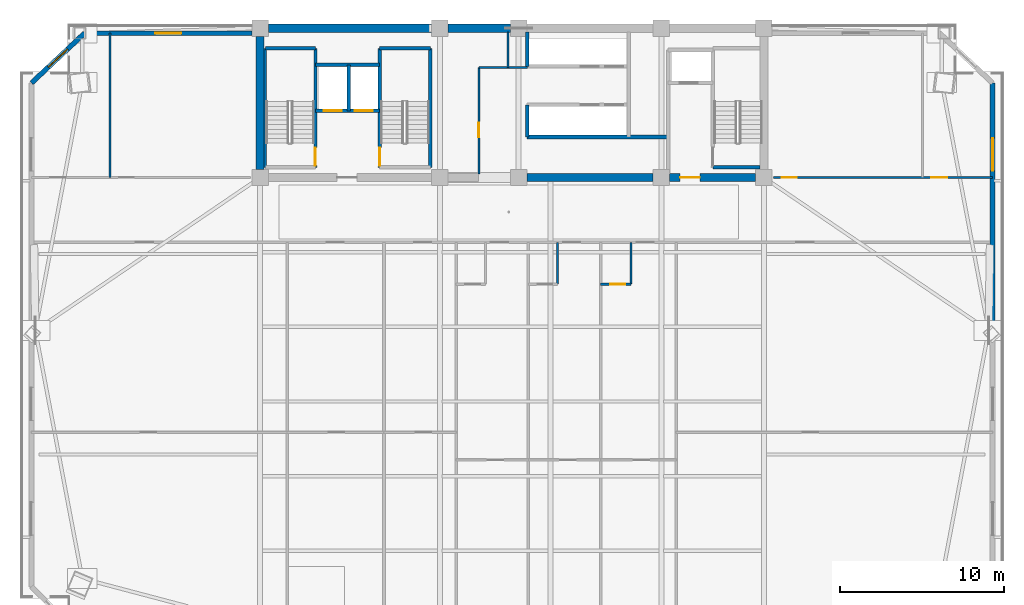
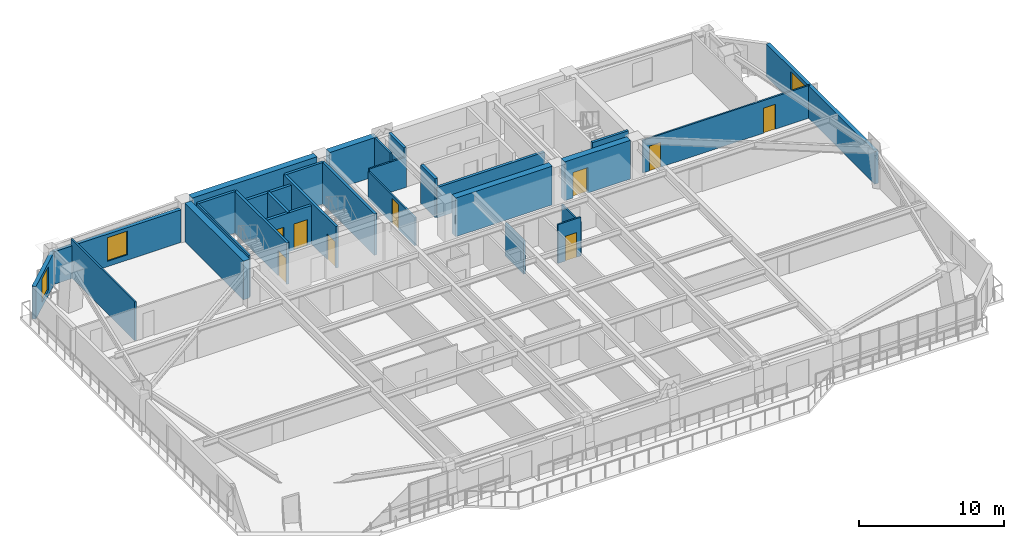
# One storey, part 9 of 15: 29 walls, 9 doors, 3 windows, 12 openings.
"""IFC4 building model written with IfcOpenShell, lengths in metres."""

from ifc_helpers import new_model, si_unit, direction, frame, frame_2d, origin, place, context, subcontext, project, spatial, rectangle, extrude, source, transform, mapped, material, layer, layer_set, type_object, element, fill, save


model = new_model("IFC4")

# Units and contexts
model_context = context("Model", 3, precision=1e-05, world=origin(), true_north=direction((0.0, 1.0)))
body_context = subcontext(model_context, "Body", "Model", "MODEL_VIEW")
ifc_project = project(units=[si_unit("LENGTHUNIT", "METRE"), si_unit("AREAUNIT", "SQUARE_METRE"), si_unit("VOLUMEUNIT", "CUBIC_METRE"), si_unit("PLANEANGLEUNIT", "RADIAN"), si_unit("MASSUNIT", "GRAM", prefix="KILO")], contexts=[model_context])

# Site, building, storey
site_placement = place(None, origin())
site = spatial("IfcSite", under=ifc_project, at=site_placement, CompositionType="ELEMENT")
building_placement = place(site_placement, origin())
building = spatial("IfcBuilding", under=site, at=building_placement, Name="Giltprow Tower", CompositionType="ELEMENT")
storey_placement = place(building_placement, frame((0.0, 0.0, 177.199951171875)))
storey = spatial("IfcBuildingStorey", under=building, at=storey_placement, Name="L44", CompositionType="ELEMENT", Elevation=177.199951171875)

# Wall, opening, window
ifc_material_1 = material(Name="Precast concrete C40", Category="concrete")
ifc_layer_1 = layer(ifc_material_1, 0.300048828125, Name="Precast concrete C40")
ifc_layer_set_1 = layer_set([ifc_layer_1], Name="Precast concrete C40")
wall_type_1 = type_object("IfcWallType", Name="EW-NOTCH-CHAMFER-300", PredefinedType="SOLIDWALL", material=ifc_layer_set_1)
wall_1_placement = place(storey_placement, frame((9.156005859375, 46.25, 0.0), z_axis=(0.0, 0.0, 1.0), x_axis=(-0.729271287048, -0.684224663314, 0.0)))
wall_1 = element("IfcWall", 1, at=wall_1_placement, inside=storey, type_object=wall_type_1, Name="L44 Corner Notch Wall NW", PredefinedType="SOLIDWALL", context=body_context, shape_type="SweptSolid", body=[
    extrude(rectangle(XDim=4.438720703125, YDim=0.300048828125, at=frame_2d((2.21923828125, 0.0))), origin(), (0.0, 0.0, 1.0), 2.75),
])
opening_1_placement = place(wall_1_placement, frame((1.4189453125, 0.0, 0.449951171875)))
opening_1 = element("IfcOpeningElement", 2, at=opening_1_placement, cuts=wall_1, Name="Opening WN17", PredefinedType="OPENING", context=body_context, shape_type="SweptSolid", body=[
    extrude(rectangle(XDim=1.60009765625, YDim=2.0, at=frame_2d((0.800048828125, 1.0))), frame((0.0, 0.159912109375, 0.0), z_axis=(0.0, -1.0, 0.0), x_axis=(1.0, 0.0, 0.0)), (0.0, 0.0, 1.0), 0.320068359375),
])
ifc_material_2 = material(Name="Insulated glass", Category="glass")
window_type_1 = type_object("IfcWindowType", Name="WN-COR-1600x2000", PartitioningType="SINGLE_PANEL", PredefinedType="WINDOW", material=ifc_material_2)
shared_shape_1 = source(origin(), body_context, "Body", "SweptSolid", [
    extrude(rectangle(XDim=1.60009765625, YDim=2.0, at=frame_2d((0.800048828125, 1.0))), frame((0.0, 0.030029296875, 0.0), z_axis=(0.0, -1.0, 0.0), x_axis=(1.0, 0.0, 0.0)), (0.0, 0.0, 1.0), 0.06005859375),
])
window_1_placement = place(opening_1_placement, origin())
window_1 = element("IfcWindow", 3, at=window_1_placement, inside=storey, type_object=window_type_1, Name="L44 Corner Notch Window NW", OverallHeight=2.0, OverallWidth=1.60009765625, PartitioningType="SINGLE_PANEL", PredefinedType="WINDOW", context=body_context, shape_type="MappedRepresentation", body=[
    mapped(shared_shape_1, transform((0.0, 0.0, 0.0), x_axis=(1.0, 0.0, 0.0), y_axis=(0.0, 1.0, 0.0), z_axis=(0.0, 0.0, 1.0), scale=1.0)),
])
fill(opening_1, window_1)

ifc_layer_2 = layer(ifc_material_1, 0.280029296875, Name="Precast concrete C40")
ifc_layer_set_2 = layer_set([ifc_layer_2], Name="Precast concrete C40")
wall_type_2 = type_object("IfcWallType", Name="EW-TOW-BRONZE-280", PredefinedType="SOLIDWALL", material=ifc_layer_set_2)
wall_2_placement = place(storey_placement, frame((64.48095703125, 28.212890625, 0.0), z_axis=(0.0, 0.0, 1.0), x_axis=(0.0, 1.0, 0.0)))
wall_2 = element("IfcWall", 4, at=wall_2_placement, inside=storey, type_object=wall_type_2, Name="L44 E Wing Masonry Wall 2", PredefinedType="SOLIDWALL", context=body_context, shape_type="SweptSolid", body=[
    extrude(rectangle(XDim=15.0, YDim=0.280029296875, at=frame_2d((7.5, 0.0))), origin(), (0.0, 0.0, 1.0), 2.75),
])
opening_2_placement = place(wall_2_placement, frame((9.64208984375, 0.0, 0.449951171875)))
opening_2 = element("IfcOpeningElement", 5, at=opening_2_placement, cuts=wall_2, Name="Opening WN21", PredefinedType="OPENING", context=body_context, shape_type="SweptSolid", body=[
    extrude(rectangle(XDim=2.0, YDim=2.0, at=frame_2d((1.0, 1.0))), frame((0.0, 0.14990234375, 0.0), z_axis=(0.0, -1.0, 0.0), x_axis=(1.0, 0.0, 0.0)), (0.0, 0.0, 1.0), 0.300048828125),
])
window_type_2 = type_object("IfcWindowType", Name="WN-HTL-2000x2000", PartitioningType="DOUBLE_PANEL_VERTICAL", PredefinedType="WINDOW", material=ifc_material_2)
shared_shape_2 = source(origin(), body_context, "Body", "SweptSolid", [
    extrude(rectangle(XDim=2.0, YDim=2.0, at=frame_2d((1.0, 1.0))), frame((0.0, 0.030029296875, 0.0), z_axis=(0.0, -1.0, 0.0), x_axis=(1.0, 0.0, 0.0)), (0.0, 0.0, 1.0), 0.06005859375),
])
window_2_placement = place(opening_2_placement, origin())
window_2 = element("IfcWindow", 6, at=window_2_placement, inside=storey, type_object=window_type_2, Name="L44 E Wing Window 2-1", OverallHeight=2.0, OverallWidth=2.0, PartitioningType="SINGLE_PANEL", PredefinedType="WINDOW", context=body_context, shape_type="MappedRepresentation", body=[
    mapped(shared_shape_2, transform((0.0, 0.0, 0.0), x_axis=(1.0, 0.0, 0.0), y_axis=(0.0, 1.0, 0.0), z_axis=(0.0, 0.0, 1.0), scale=1.0)),
])
fill(opening_2, window_2)

wall_3_placement = place(storey_placement, frame((9.156005859375, 46.25, 0.0), z_axis=(0.0, 0.0, 1.0), x_axis=(1.0, 0.0, 0.0)))
wall_3 = element("IfcWall", 7, at=wall_3_placement, inside=storey, type_object=wall_type_2, Name="L44 North-West Wing Wall", PredefinedType="SOLIDWALL", context=body_context, shape_type="SweptSolid", body=[
    extrude(rectangle(XDim=10.194091796875, YDim=0.280029296875, at=frame_2d((5.09716796875, 0.0))), origin(), (0.0, 0.0, 1.0), 2.75),
])
opening_3_placement = place(wall_3_placement, frame((4.297119140625, 0.0, 0.449951171875)))
opening_3 = element("IfcOpeningElement", 8, at=opening_3_placement, cuts=wall_3, Name="Opening WN17", PredefinedType="OPENING", context=body_context, shape_type="SweptSolid", body=[
    extrude(rectangle(XDim=1.60009765625, YDim=2.0, at=frame_2d((0.800048828125, 1.0))), frame((0.0, 0.14990234375, 0.0), z_axis=(0.0, -1.0, 0.0), x_axis=(1.0, 0.0, 0.0)), (0.0, 0.0, 1.0), 0.300048828125),
])
window_3_placement = place(opening_3_placement, origin())
window_3 = element("IfcWindow", 9, at=window_3_placement, inside=storey, type_object=window_type_1, Name="L44 North-West Window", OverallHeight=2.0, OverallWidth=1.60009765625, PartitioningType="SINGLE_PANEL", PredefinedType="WINDOW", context=body_context, shape_type="MappedRepresentation", body=[
    mapped(shared_shape_1, transform((0.0, 0.0, 0.0), x_axis=(1.0, 0.0, 0.0), y_axis=(0.0, 1.0, 0.0), z_axis=(0.0, 0.0, 1.0), scale=1.0)),
])
fill(opening_3, window_3)

# Wall, openings, doors
ifc_material_3 = material(Name="Concrete C40", Category="concrete")
ifc_layer_3 = layer(ifc_material_3, 0.219970703125, Name="Concrete C40")
ifc_layer_set_3 = layer_set([ifc_layer_3], Name="Concrete C40")
wall_type_3 = type_object("IfcWallType", Name="IW-SHAFT-220", PredefinedType="SOLIDWALL", material=ifc_layer_set_3)
wall_4_placement = place(storey_placement, frame((23.219970703125, 41.52001953125, 0.0), z_axis=(0.0, 0.0, 1.0), x_axis=(1.0, 0.0, 0.0)))
wall_4 = element("IfcWall", 10, at=wall_4_placement, inside=storey, type_object=wall_type_3, Name="L44 FFL1 and Service Lift Front Wall", PredefinedType="SOLIDWALL", context=body_context, shape_type="SweptSolid", body=[
    extrude(rectangle(XDim=3.919921875, YDim=0.219970703125, at=frame_2d((1.9599609375, 0.0))), origin(), (0.0, 0.0, 1.0), 3.27001953125),
])
opening_4_placement = place(wall_4_placement, frame((0.5, 0.0, 0.0)))
opening_4 = element("IfcOpeningElement", 11, at=opening_4_placement, cuts=wall_4, Name="Opening LD-11", PredefinedType="OPENING", context=body_context, shape_type="SweptSolid", body=[
    extrude(rectangle(XDim=1.10009765625, YDim=2.199951171875, at=frame_2d((0.550048828125, 1.10009765625))), frame((0.0, 0.119873046875, 0.0), z_axis=(0.0, -1.0, 0.0), x_axis=(1.0, 0.0, 0.0)), (0.0, 0.0, 1.0), 0.239990234375),
])
opening_5_placement = place(wall_4_placement, frame((2.39990234375, 0.0, 0.0)))
opening_5 = element("IfcOpeningElement", 12, at=opening_5_placement, cuts=wall_4, Name="Opening LD-11", PredefinedType="OPENING", context=body_context, shape_type="SweptSolid", body=[
    extrude(rectangle(XDim=1.10009765625, YDim=2.199951171875, at=frame_2d((0.550048828125, 1.10009765625))), frame((0.0, 0.119873046875, 0.0), z_axis=(0.0, -1.0, 0.0), x_axis=(1.0, 0.0, 0.0)), (0.0, 0.0, 1.0), 0.239990234375),
])
ifc_material_4 = material(Name="Stainless steel", Category="steel")
door_type_1 = type_object("IfcDoorType", Name="DR-LIFT-LD1100", OperationType="SLIDING_TO_LEFT", PredefinedType="DOOR", material=ifc_material_4)
shared_shape_3 = source(origin(), body_context, "Body", "SweptSolid", [
    extrude(rectangle(XDim=1.10009765625, YDim=2.199951171875, at=frame_2d((0.550048828125, 1.10009765625))), frame((0.0, 0.02490234375, 0.0), z_axis=(0.0, -1.0, 0.0), x_axis=(1.0, 0.0, 0.0)), (0.0, 0.0, 1.0), 0.050048828125),
])
door_1_placement = place(opening_4_placement, origin())
door_1 = element("IfcDoor", 13, at=door_1_placement, inside=storey, type_object=door_type_1, Name="L44 FFL1 Landing Door", OperationType="SLIDING_TO_LEFT", OverallHeight=2.199951171875, OverallWidth=1.10009765625, PredefinedType="DOOR", context=body_context, shape_type="MappedRepresentation", body=[
    mapped(shared_shape_3, transform((0.0, 0.0, 0.0), x_axis=(1.0, 0.0, 0.0), y_axis=(0.0, 1.0, 0.0), z_axis=(0.0, 0.0, 1.0), scale=1.0)),
])
fill(opening_4, door_1)
door_2_placement = place(opening_5_placement, origin())
door_2 = element("IfcDoor", 14, at=door_2_placement, inside=storey, type_object=door_type_1, Name="L44 SVL1 Landing Door", OperationType="SLIDING_TO_LEFT", OverallHeight=2.199951171875, OverallWidth=1.10009765625, PredefinedType="DOOR", context=body_context, shape_type="MappedRepresentation", body=[
    mapped(shared_shape_3, transform((0.0, 0.0, 0.0), x_axis=(1.0, 0.0, 0.0), y_axis=(0.0, 1.0, 0.0), z_axis=(0.0, 0.0, 1.0), scale=1.0)),
])
fill(opening_5, door_2)

# Walls
wall_5_placement = place(storey_placement, frame((25.260009765625, 41.52001953125, 0.0), z_axis=(0.0, 0.0, 1.0), x_axis=(0.0, 1.0, 0.0)))
element("IfcWall", 15, at=wall_5_placement, inside=storey, type_object=wall_type_3, Name="L44 FFL1-SVL1 Shaft Divider", PredefinedType="SOLIDWALL", context=body_context, shape_type="SweptSolid", body=[
    extrude(rectangle(XDim=2.800048828125, YDim=0.219970703125, at=frame_2d((1.39990234375, 0.0))), origin(), (0.0, 0.0, 1.0), 3.27001953125),
])
wall_6_placement = place(storey_placement, frame((23.219970703125, 44.320068359375, 0.0), z_axis=(0.0, 0.0, 1.0), x_axis=(1.0, 0.0, 0.0)))
element("IfcWall", 16, at=wall_6_placement, inside=storey, type_object=wall_type_3, Name="L44 FFL1-SVL1 Back Shaft Wall", PredefinedType="SOLIDWALL", context=body_context, shape_type="SweptSolid", body=[
    extrude(rectangle(XDim=3.919921875, YDim=0.219970703125, at=frame_2d((1.9599609375, 0.0))), origin(), (0.0, 0.0, 1.0), 3.27001953125),
])
wall_7_placement = place(storey_placement, frame((36.1201171875, 39.919921875, 0.0), z_axis=(0.0, 0.0, 1.0), x_axis=(1.0, 0.0, 0.0)))
element("IfcWall", 17, at=wall_7_placement, inside=storey, type_object=wall_type_3, Name="L44 Mid-Rise South Lift Back Wall", PredefinedType="SOLIDWALL", context=body_context, shape_type="SweptSolid", body=[
    extrude(rectangle(XDim=8.599853515625, YDim=0.219970703125, at=frame_2d((4.2998046875, 0.0))), origin(), (0.0, 0.0, 1.0), 2.554931640625),
])
wall_8_placement = place(storey_placement, frame((36.1201171875, 39.919921875, 0.0), z_axis=(0.0, 0.0, 1.0), x_axis=(0.0, 1.0, 0.0)))
element("IfcWall", 18, at=wall_8_placement, inside=storey, type_object=wall_type_3, Name="L44 Mid-Rise South Lift West Closure", PredefinedType="SOLIDWALL", context=body_context, shape_type="SweptSolid", body=[
    extrude(rectangle(XDim=1.9599609375, YDim=0.219970703125, at=frame_2d((0.97998046875, 0.0))), origin(), (0.0, 0.0, 1.0), 3.27001953125),
])
wall_9_placement = place(storey_placement, frame((36.1201171875, 44.219970703125, 0.0), z_axis=(0.0, 0.0, 1.0), x_axis=(0.0, 1.0, 0.0)))
element("IfcWall", 19, at=wall_9_placement, inside=storey, type_object=wall_type_3, Name="L44 Mid-Rise North Lift West Closure", PredefinedType="SOLIDWALL", context=body_context, shape_type="SweptSolid", body=[
    extrude(rectangle(XDim=2.10009765625, YDim=0.219970703125, at=frame_2d((1.050048828125, 0.0))), origin(), (0.0, 0.0, 1.0), 3.27001953125),
])
ifc_material_5 = material(Name="Concrete C45", Category="concrete")
ifc_layer_4 = layer(ifc_material_5, 0.139892578125, Name="Concrete C45")
ifc_layer_set_4 = layer_set([ifc_layer_4], Name="Concrete C45")
wall_type_4 = type_object("IfcWallType", Name="IW-STAIR-140", PredefinedType="SOLIDWALL", material=ifc_layer_set_4)
wall_10_placement = place(storey_placement, frame((20.169921875, 38.070068359375, 0.0), z_axis=(0.0, 0.0, 1.0), x_axis=(0.0, 1.0, 0.0)))
element("IfcWall", 20, at=wall_10_placement, inside=storey, type_object=wall_type_4, Name="L44 Stair ST-1 West Bearing Wall", PredefinedType="SOLIDWALL", context=body_context, shape_type="SweptSolid", body=[
    extrude(rectangle(XDim=7.25, YDim=0.139892578125, at=frame_2d((3.625, 0.0))), origin(), (0.0, 0.0, 1.0), 3.5),
])

# Wall, opening, door
ifc_layer_5 = layer(ifc_material_3, 0.199951171875, Name="Concrete C40")
ifc_layer_set_5 = layer_set([ifc_layer_5], Name="Concrete C40")
wall_type_5 = type_object("IfcWallType", Name="IW-STAIR-200", PredefinedType="SOLIDWALL", material=ifc_layer_set_5)
wall_11_placement = place(storey_placement, frame((23.219970703125, 38.070068359375, 0.0), z_axis=(0.0, 0.0, 1.0), x_axis=(0.0, 1.0, 0.0)))
wall_11 = element("IfcWall", 21, at=wall_11_placement, inside=storey, type_object=wall_type_5, Name="L44 Stair ST-1 East Bearing Wall", PredefinedType="SOLIDWALL", context=body_context, shape_type="SweptSolid", body=[
    extrude(rectangle(XDim=7.25, YDim=0.199951171875, at=frame_2d((3.625, 0.0))), origin(), (0.0, 0.0, 1.0), 3.5),
])
opening_6_placement = place(wall_11_placement, frame((0.110107421875, 0.0, 0.0)))
opening_6 = element("IfcOpeningElement", 22, at=opening_6_placement, cuts=wall_11, Name="Opening ID33", PredefinedType="OPENING", context=body_context, shape_type="SweptSolid", body=[
    extrude(rectangle(XDim=1.10009765625, YDim=2.14990234375, at=frame_2d((0.550048828125, 1.074951171875))), frame((0.0, 0.10986328125, 0.0), z_axis=(0.0, -1.0, 0.0), x_axis=(1.0, 0.0, 0.0)), (0.0, 0.0, 1.0), 0.219970703125),
])
ifc_material_6 = material(Name="Steel fire leaf", Category="steel")
door_type_2 = type_object("IfcDoorType", Name="DR-STAIR-1100", OperationType="SINGLE_SWING_LEFT", PredefinedType="DOOR", material=ifc_material_6)
shared_shape_4 = source(origin(), body_context, "Body", "SweptSolid", [
    extrude(rectangle(XDim=1.10009765625, YDim=2.14990234375, at=frame_2d((0.550048828125, 1.074951171875))), frame((0.0, 0.02490234375, 0.0), z_axis=(0.0, -1.0, 0.0), x_axis=(1.0, 0.0, 0.0)), (0.0, 0.0, 1.0), 0.050048828125),
])
door_3_placement = place(opening_6_placement, origin())
door_3 = element("IfcDoor", 23, at=door_3_placement, inside=storey, type_object=door_type_2, Name="L44 Stair ST-1 Fire Door", OperationType="SINGLE_SWING_RIGHT", OverallHeight=2.14990234375, OverallWidth=1.10009765625, PredefinedType="DOOR", context=body_context, shape_type="MappedRepresentation", body=[
    mapped(shared_shape_4, transform((0.0, 0.0, 0.0), x_axis=(1.0, 0.0, 0.0), y_axis=(0.0, 1.0, 0.0), z_axis=(0.0, 0.0, 1.0), scale=1.0)),
])
fill(opening_6, door_3)

# Wall
wall_12_placement = place(storey_placement, frame((20.169921875, 45.320068359375, 0.0), z_axis=(0.0, 0.0, 1.0), x_axis=(1.0, 0.0, 0.0)))
element("IfcWall", 24, at=wall_12_placement, inside=storey, type_object=wall_type_5, Name="L44 Stair ST-1 North Bearing Wall", PredefinedType="SOLIDWALL", context=body_context, shape_type="SweptSolid", body=[
    extrude(rectangle(XDim=3.050048828125, YDim=0.199951171875, at=frame_2d((1.52490234375, 0.0))), origin(), (0.0, 0.0, 1.0), 3.5),
])

# Wall, opening, door
wall_13_placement = place(storey_placement, frame((27.139892578125, 38.070068359375, 0.0), z_axis=(0.0, 0.0, 1.0), x_axis=(0.0, 1.0, 0.0)))
wall_13 = element("IfcWall", 25, at=wall_13_placement, inside=storey, type_object=wall_type_5, Name="L44 Stair ST-2 West Bearing Wall", PredefinedType="SOLIDWALL", context=body_context, shape_type="SweptSolid", body=[
    extrude(rectangle(XDim=7.25, YDim=0.199951171875, at=frame_2d((3.625, 0.0))), origin(), (0.0, 0.0, 1.0), 3.5),
])
opening_7_placement = place(wall_13_placement, frame((0.110107421875, 0.0, 0.0)))
opening_7 = element("IfcOpeningElement", 26, at=opening_7_placement, cuts=wall_13, Name="Opening ID33", PredefinedType="OPENING", context=body_context, shape_type="SweptSolid", body=[
    extrude(rectangle(XDim=1.10009765625, YDim=2.14990234375, at=frame_2d((0.550048828125, 1.074951171875))), frame((0.0, 0.10986328125, 0.0), z_axis=(0.0, -1.0, 0.0), x_axis=(1.0, 0.0, 0.0)), (0.0, 0.0, 1.0), 0.219970703125),
])
door_4_placement = place(opening_7_placement, origin())
door_4 = element("IfcDoor", 27, at=door_4_placement, inside=storey, type_object=door_type_2, Name="L44 Stair ST-2 Fire Door", OperationType="SINGLE_SWING_LEFT", OverallHeight=2.14990234375, OverallWidth=1.10009765625, PredefinedType="DOOR", context=body_context, shape_type="MappedRepresentation", body=[
    mapped(shared_shape_4, transform((0.0, 0.0, 0.0), x_axis=(1.0, 0.0, 0.0), y_axis=(0.0, 1.0, 0.0), z_axis=(0.0, 0.0, 1.0), scale=1.0)),
])
fill(opening_7, door_4)

# Walls
wall_14_placement = place(storey_placement, frame((30.219970703125, 38.070068359375, 0.0), z_axis=(0.0, 0.0, 1.0), x_axis=(0.0, 1.0, 0.0)))
element("IfcWall", 28, at=wall_14_placement, inside=storey, type_object=wall_type_5, Name="L44 Stair ST-2 East Bearing Wall", PredefinedType="SOLIDWALL", context=body_context, shape_type="SweptSolid", body=[
    extrude(rectangle(XDim=7.25, YDim=0.199951171875, at=frame_2d((3.625, 0.0))), origin(), (0.0, 0.0, 1.0), 3.5),
])
wall_15_placement = place(storey_placement, frame((27.139892578125, 45.320068359375, 0.0), z_axis=(0.0, 0.0, 1.0), x_axis=(1.0, 0.0, 0.0)))
element("IfcWall", 29, at=wall_15_placement, inside=storey, type_object=wall_type_5, Name="L44 Stair ST-2 North Bearing Wall", PredefinedType="SOLIDWALL", context=body_context, shape_type="SweptSolid", body=[
    extrude(rectangle(XDim=3.080078125, YDim=0.199951171875, at=frame_2d((1.5400390625, 0.0))), origin(), (0.0, 0.0, 1.0), 3.5),
])
wall_16_placement = place(storey_placement, frame((47.43994140625, 38.070068359375, 0.0), z_axis=(0.0, 0.0, 1.0), x_axis=(1.0, 0.0, 0.0)))
element("IfcWall", 30, at=wall_16_placement, inside=storey, type_object=wall_type_5, Name="L44 Stair ST-3 South Bearing Wall", PredefinedType="SOLIDWALL", context=body_context, shape_type="SweptSolid", body=[
    extrude(rectangle(XDim=2.880126953125, YDim=0.199951171875, at=frame_2d((1.43994140625, 0.0))), origin(), (0.0, 0.0, 1.0), 3.5),
])

# Wall, opening, door
ifc_material_7 = material(Name="Concrete C30", Category="concrete")
ifc_layer_6 = layer(ifc_material_7, 0.1298828125, Name="Concrete C30")
ifc_layer_set_6 = layer_set([ifc_layer_6], Name="Concrete C30")
wall_type_6 = type_object("IfcWallType", Name="IW-WET-130", PredefinedType="PARTITIONING", material=ifc_layer_set_6)
wall_17_placement = place(storey_placement, frame((33.179931640625, 37.679931640625, 0.0), z_axis=(0.0, 0.0, 1.0), x_axis=(0.0, 1.0, 0.0)))
wall_17 = element("IfcWall", 31, at=wall_17_placement, inside=storey, type_object=wall_type_6, Name="L44 Reclaimed Core Room East Wall", PredefinedType="PARTITIONING", context=body_context, shape_type="SweptSolid", body=[
    extrude(rectangle(XDim=6.469970703125, YDim=0.1298828125, at=frame_2d((3.23486328125, 0.0))), origin(), (0.0, 0.0, 1.0), 2.35498046875),
])
opening_8_placement = place(wall_17_placement, frame((2.219970703125, 0.0, 0.0)))
opening_8 = element("IfcOpeningElement", 32, at=opening_8_placement, cuts=wall_17, Name="Opening ID35", PredefinedType="OPENING", context=body_context, shape_type="SweptSolid", body=[
    extrude(rectangle(XDim=0.89990234375, YDim=2.10009765625, at=frame_2d((0.449951171875, 1.050048828125))), frame((0.0, 0.074951171875, 0.0), z_axis=(0.0, -1.0, 0.0), x_axis=(1.0, 0.0, 0.0)), (0.0, 0.0, 1.0), 0.14990234375),
])
door_type_3 = type_object("IfcDoorType", Name="DR-SHAFT-900", OperationType="SINGLE_SWING_LEFT", PredefinedType="DOOR", material=ifc_material_6)
shared_shape_5 = source(origin(), body_context, "Body", "SweptSolid", [
    extrude(rectangle(XDim=0.89990234375, YDim=2.10009765625, at=frame_2d((0.449951171875, 1.050048828125))), frame((0.0, 0.02490234375, 0.0), z_axis=(0.0, -1.0, 0.0), x_axis=(1.0, 0.0, 0.0)), (0.0, 0.0, 1.0), 0.050048828125),
])
door_5_placement = place(opening_8_placement, origin())
door_5 = element("IfcDoor", 33, at=door_5_placement, inside=storey, type_object=door_type_3, Name="L44 Housekeeping and Linen Room Door", OperationType="SINGLE_SWING_LEFT", OverallHeight=2.10009765625, OverallWidth=0.89990234375, PredefinedType="DOOR", context=body_context, shape_type="MappedRepresentation", body=[
    mapped(shared_shape_5, transform((0.0, 0.0, 0.0), x_axis=(1.0, 0.0, 0.0), y_axis=(0.0, 1.0, 0.0), z_axis=(0.0, 0.0, 1.0), scale=1.0)),
])
fill(opening_8, door_5)

# Walls
wall_18_placement = place(storey_placement, frame((34.949951171875, 44.14990234375, 0.0), z_axis=(0.0, 0.0, 1.0), x_axis=(0.0, 1.0, 0.0)))
element("IfcWall", 34, at=wall_18_placement, inside=storey, type_object=wall_type_6, Name="L44 Reclaimed North Pocket East Wall", PredefinedType="PARTITIONING", context=body_context, shape_type="SweptSolid", body=[
    extrude(rectangle(XDim=2.170166015625, YDim=0.1298828125, at=frame_2d((1.0849609375, 0.0))), origin(), (0.0, 0.0, 1.0), 3.27001953125),
])
wall_19_placement = place(storey_placement, frame((33.179931640625, 44.14990234375, 0.0), z_axis=(0.0, 0.0, 1.0), x_axis=(1.0, 0.0, 0.0)))
element("IfcWall", 35, at=wall_19_placement, inside=storey, type_object=wall_type_6, Name="L44 Reclaimed North Pocket South Wall", PredefinedType="PARTITIONING", context=body_context, shape_type="SweptSolid", body=[
    extrude(rectangle(XDim=2.969970703125, YDim=0.1298828125, at=frame_2d((1.48486328125, 0.0))), origin(), (0.0, 0.0, 1.0), 2.554931640625),
])
wall_20_placement = place(storey_placement, frame((37.97607421875, 30.949951171875, 0.0), z_axis=(0.0, 0.0, 1.0), x_axis=(0.0, 1.0, 0.0)))
element("IfcWall", 36, at=wall_20_placement, inside=storey, type_object=wall_type_6, Name="L44 En-Suite East Wall 5", PredefinedType="PARTITIONING", context=body_context, shape_type="SweptSolid", body=[
    extrude(rectangle(XDim=2.550048828125, YDim=0.1298828125, at=frame_2d((1.27490234375, 0.0))), origin(), (0.0, 0.0, 1.0), 2.804931640625),
])

# Wall, opening, door
wall_21_placement = place(storey_placement, frame((40.60009765625, 30.949951171875, 0.0), z_axis=(0.0, 0.0, 1.0), x_axis=(1.0, 0.0, 0.0)))
wall_21 = element("IfcWall", 37, at=wall_21_placement, inside=storey, type_object=wall_type_6, Name="L44 En-Suite South Wall 6", PredefinedType="PARTITIONING", context=body_context, shape_type="SweptSolid", body=[
    extrude(rectangle(XDim=1.85595703125, YDim=0.1298828125, at=frame_2d((0.927978515625, 0.0))), origin(), (0.0, 0.0, 1.0), 3.27001953125),
])
opening_9_placement = place(wall_21_placement, frame((0.597900390625, 0.0, 0.0)))
opening_9 = element("IfcOpeningElement", 38, at=opening_9_placement, cuts=wall_21, Name="Opening ID15", PredefinedType="OPENING", context=body_context, shape_type="SweptSolid", body=[
    extrude(rectangle(XDim=0.89990234375, YDim=2.10009765625, at=frame_2d((0.449951171875, 1.050048828125))), frame((0.0, 0.074951171875, 0.0), z_axis=(0.0, -1.0, 0.0), x_axis=(1.0, 0.0, 0.0)), (0.0, 0.0, 1.0), 0.14990234375),
])
ifc_material_8 = material(Name="Engineered timber", Category="wood")
door_type_4 = type_object("IfcDoorType", Name="DR-WC-900", OperationType="SINGLE_SWING_LEFT", PredefinedType="DOOR", material=ifc_material_8)
door_6_placement = place(opening_9_placement, origin())
door_6 = element("IfcDoor", 39, at=door_6_placement, inside=storey, type_object=door_type_4, Name="L44 En-Suite 6 Door", OperationType="SINGLE_SWING_LEFT", OverallHeight=2.10009765625, OverallWidth=0.89990234375, PredefinedType="DOOR", context=body_context, shape_type="MappedRepresentation", body=[
    mapped(shared_shape_5, transform((0.0, 0.0, 0.0), x_axis=(1.0, 0.0, 0.0), y_axis=(0.0, 1.0, 0.0), z_axis=(0.0, 0.0, 1.0), scale=1.0)),
])
fill(opening_9, door_6)

# Walls
wall_22_placement = place(storey_placement, frame((42.4560546875, 30.949951171875, 0.0), z_axis=(0.0, 0.0, 1.0), x_axis=(0.0, 1.0, 0.0)))
element("IfcWall", 40, at=wall_22_placement, inside=storey, type_object=wall_type_6, Name="L44 En-Suite East Wall 6", PredefinedType="PARTITIONING", context=body_context, shape_type="SweptSolid", body=[
    extrude(rectangle(XDim=2.550048828125, YDim=0.1298828125, at=frame_2d((1.27490234375, 0.0))), origin(), (0.0, 0.0, 1.0), 2.804931640625),
])
wall_23_placement = place(storey_placement, frame((10.705078125, 37.449951171875, 0.0), z_axis=(0.0, 0.0, 1.0), x_axis=(0.0, 1.0, 0.0)))
element("IfcWall", 41, at=wall_23_placement, inside=storey, type_object=wall_type_6, Name="L44 NW Wing Divider", PredefinedType="PARTITIONING", context=body_context, shape_type="SweptSolid", body=[
    extrude(rectangle(XDim=8.800048828125, YDim=0.1298828125, at=frame_2d((4.39990234375, 0.0))), origin(), (0.0, 0.0, 1.0), 3.27001953125),
])

# Wall, openings, doors
wall_24_placement = place(storey_placement, frame((51.14990234375, 37.449951171875, 0.0), z_axis=(0.0, 0.0, 1.0), x_axis=(1.0, 0.0, 0.0)))
wall_24 = element("IfcWall", 42, at=wall_24_placement, inside=storey, type_object=wall_type_6, Name="L44 NE Wing South Wall", PredefinedType="PARTITIONING", context=body_context, shape_type="SweptSolid", body=[
    extrude(rectangle(XDim=13.3310546875, YDim=0.1298828125, at=frame_2d((6.66552734375, 0.0))), origin(), (0.0, 0.0, 1.0), 2.755126953125),
])
opening_10_placement = place(wall_24_placement, frame((0.5, 0.0, 0.0)))
opening_10 = element("IfcOpeningElement", 43, at=opening_10_placement, cuts=wall_24, Name="Opening ID15", PredefinedType="OPENING", context=body_context, shape_type="SweptSolid", body=[
    extrude(rectangle(XDim=0.89990234375, YDim=2.10009765625, at=frame_2d((0.449951171875, 1.050048828125))), frame((0.0, 0.074951171875, 0.0), z_axis=(0.0, -1.0, 0.0), x_axis=(1.0, 0.0, 0.0)), (0.0, 0.0, 1.0), 0.14990234375),
])
opening_11_placement = place(wall_24_placement, frame((9.60791015625, 0.0, 0.0)))
opening_11 = element("IfcOpeningElement", 44, at=opening_11_placement, cuts=wall_24, Name="Opening ID11", PredefinedType="OPENING", context=body_context, shape_type="SweptSolid", body=[
    extrude(rectangle(XDim=0.949951171875, YDim=2.10009765625, at=frame_2d((0.47509765625, 1.050048828125))), frame((0.0, 0.074951171875, 0.0), z_axis=(0.0, -1.0, 0.0), x_axis=(1.0, 0.0, 0.0)), (0.0, 0.0, 1.0), 0.14990234375),
])
door_7_placement = place(opening_10_placement, origin())
door_7 = element("IfcDoor", 45, at=door_7_placement, inside=storey, type_object=door_type_4, Name="L44 East Wing Washroom Door", OperationType="SINGLE_SWING_RIGHT", OverallHeight=2.10009765625, OverallWidth=0.89990234375, PredefinedType="DOOR", context=body_context, shape_type="MappedRepresentation", body=[
    mapped(shared_shape_5, transform((0.0, 0.0, 0.0), x_axis=(1.0, 0.0, 0.0), y_axis=(0.0, 1.0, 0.0), z_axis=(0.0, 0.0, 1.0), scale=1.0)),
])
fill(opening_10, door_7)
door_type_5 = type_object("IfcDoorType", Name="DR-ROOM-950", OperationType="SINGLE_SWING_RIGHT", PredefinedType="DOOR", material=ifc_material_8)
shared_shape_6 = source(origin(), body_context, "Body", "SweptSolid", [
    extrude(rectangle(XDim=0.949951171875, YDim=2.10009765625, at=frame_2d((0.47509765625, 1.050048828125))), frame((0.0, 0.02490234375, 0.0), z_axis=(0.0, -1.0, 0.0), x_axis=(1.0, 0.0, 0.0)), (0.0, 0.0, 1.0), 0.050048828125),
])
door_8_placement = place(opening_11_placement, origin())
door_8 = element("IfcDoor", 46, at=door_8_placement, inside=storey, type_object=door_type_5, Name="L44 Hotel Floor Linen Store Door", OperationType="SINGLE_SWING_RIGHT", OverallHeight=2.10009765625, OverallWidth=0.949951171875, PredefinedType="DOOR", context=body_context, shape_type="MappedRepresentation", body=[
    mapped(shared_shape_6, transform((0.0, 0.0, 0.0), x_axis=(1.0, 0.0, 0.0), y_axis=(0.0, 1.0, 0.0), z_axis=(0.0, 0.0, 1.0), scale=1.0)),
])
fill(opening_11, door_8)

# Walls
ifc_material_9 = material(Name="Concrete C50", Category="concrete")
ifc_layer_7 = layer(ifc_material_9, 0.5, Name="Concrete C50")
ifc_layer_set_7 = layer_set([ifc_layer_7], Name="Concrete C50")
wall_type_7 = type_object("IfcWallType", Name="SW-EXT-500-C50", PredefinedType="SHEAR", material=ifc_layer_set_7)
wall_25_placement = place(storey_placement, frame((20.35009765625, 46.550048828125, 0.0), z_axis=(0.0, 0.0, 1.0), x_axis=(1.0, 0.0, 0.0)))
element("IfcWall", 47, at=wall_25_placement, inside=storey, type_object=wall_type_7, Name="L44 North Rear Core Shear Wall 1", PredefinedType="SHEAR", context=body_context, shape_type="SweptSolid", body=[
    extrude(rectangle(XDim=9.949951171875, YDim=0.5, at=frame_2d((4.97509765625, 0.0))), origin(), (0.0, 0.0, 1.0), 3.27001953125),
])
wall_26_placement = place(storey_placement, frame((31.300048828125, 46.550048828125, 0.0), z_axis=(0.0, 0.0, 1.0), x_axis=(1.0, 0.0, 0.0)))
element("IfcWall", 48, at=wall_26_placement, inside=storey, type_object=wall_type_7, Name="L44 North Rear Core Shear Wall 2", PredefinedType="SHEAR", context=body_context, shape_type="SweptSolid", body=[
    extrude(rectangle(XDim=3.800048828125, YDim=0.5, at=frame_2d((1.89990234375, 0.0))), origin(), (0.0, 0.0, 1.0), 3.27001953125),
])
ifc_layer_8 = layer(ifc_material_9, 0.5, Name="Concrete C50")
ifc_layer_set_8 = layer_set([ifc_layer_8], Name="Concrete C50")
wall_type_8 = type_object("IfcWallType", Name="SW-INT-500-C50", PredefinedType="SHEAR", material=ifc_layer_set_8)
wall_27_placement = place(storey_placement, frame((36.10009765625, 37.449951171875, 0.0), z_axis=(0.0, 0.0, 1.0), x_axis=(1.0, 0.0, 0.0)))
element("IfcWall", 49, at=wall_27_placement, inside=storey, type_object=wall_type_8, Name="L44 South Rear Core Shear Wall Mid-East", PredefinedType="SHEAR", context=body_context, shape_type="SweptSolid", body=[
    extrude(rectangle(XDim=7.699951171875, YDim=0.5, at=frame_2d((3.85009765625, 0.0))), origin(), (0.0, 0.0, 1.0), 3.27001953125),
])

# Wall, opening, door
wall_28_placement = place(storey_placement, frame((44.800048828125, 37.449951171875, 0.0), z_axis=(0.0, 0.0, 1.0), x_axis=(1.0, 0.0, 0.0)))
wall_28 = element("IfcWall", 50, at=wall_28_placement, inside=storey, type_object=wall_type_8, Name="L44 South Rear Core Shear Wall East", PredefinedType="SHEAR", context=body_context, shape_type="SweptSolid", body=[
    extrude(rectangle(XDim=5.25, YDim=0.5, at=frame_2d((2.625, 0.0))), origin(), (0.0, 0.0, 1.0), 3.27001953125),
])
opening_12_placement = place(wall_28_placement, frame((0.64990234375, 0.0, 0.0)))
opening_12 = element("IfcOpeningElement", 51, at=opening_12_placement, cuts=wall_28, Name="Opening ID19", PredefinedType="OPENING", context=body_context, shape_type="SweptSolid", body=[
    extrude(rectangle(XDim=1.199951171875, YDim=2.14990234375, at=frame_2d((0.60009765625, 1.074951171875))), frame((0.0, 0.260009765625, 0.0), z_axis=(0.0, -1.0, 0.0), x_axis=(1.0, 0.0, 0.0)), (0.0, 0.0, 1.0), 0.52001953125),
])
door_type_6 = type_object("IfcDoorType", Name="DR-FFLOBBY-1200", OperationType="SINGLE_SWING_RIGHT", PredefinedType="DOOR", material=ifc_material_6)
shared_shape_7 = source(origin(), body_context, "Body", "SweptSolid", [
    extrude(rectangle(XDim=1.199951171875, YDim=2.14990234375, at=frame_2d((0.60009765625, 1.074951171875))), frame((0.0, 0.02490234375, 0.0), z_axis=(0.0, -1.0, 0.0), x_axis=(1.0, 0.0, 0.0)), (0.0, 0.0, 1.0), 0.050048828125),
])
door_9_placement = place(opening_12_placement, origin())
door_9 = element("IfcDoor", 52, at=door_9_placement, inside=storey, type_object=door_type_6, Name="L44 East Firefighting Lobby Entry Door", OperationType="SINGLE_SWING_RIGHT", OverallHeight=2.14990234375, OverallWidth=1.199951171875, PredefinedType="DOOR", context=body_context, shape_type="MappedRepresentation", body=[
    mapped(shared_shape_7, transform((0.0, 0.0, 0.0), x_axis=(1.0, 0.0, 0.0), y_axis=(0.0, 1.0, 0.0), z_axis=(0.0, 0.0, 1.0), scale=1.0)),
])
fill(opening_12, door_9)

# Wall
wall_29_placement = place(storey_placement, frame((19.85009765625, 37.949951171875, 0.0), z_axis=(0.0, 0.0, 1.0), x_axis=(0.0, 1.0, 0.0)))
element("IfcWall", 53, at=wall_29_placement, inside=storey, type_object=wall_type_8, Name="L44 W Rear Core Shear Wall", PredefinedType="SHEAR", context=body_context, shape_type="SweptSolid", body=[
    extrude(rectangle(XDim=8.10009765625, YDim=0.5, at=frame_2d((4.050048828125, 0.0))), origin(), (0.0, 0.0, 1.0), 3.27001953125),
])

save(model, "model.ifc")
